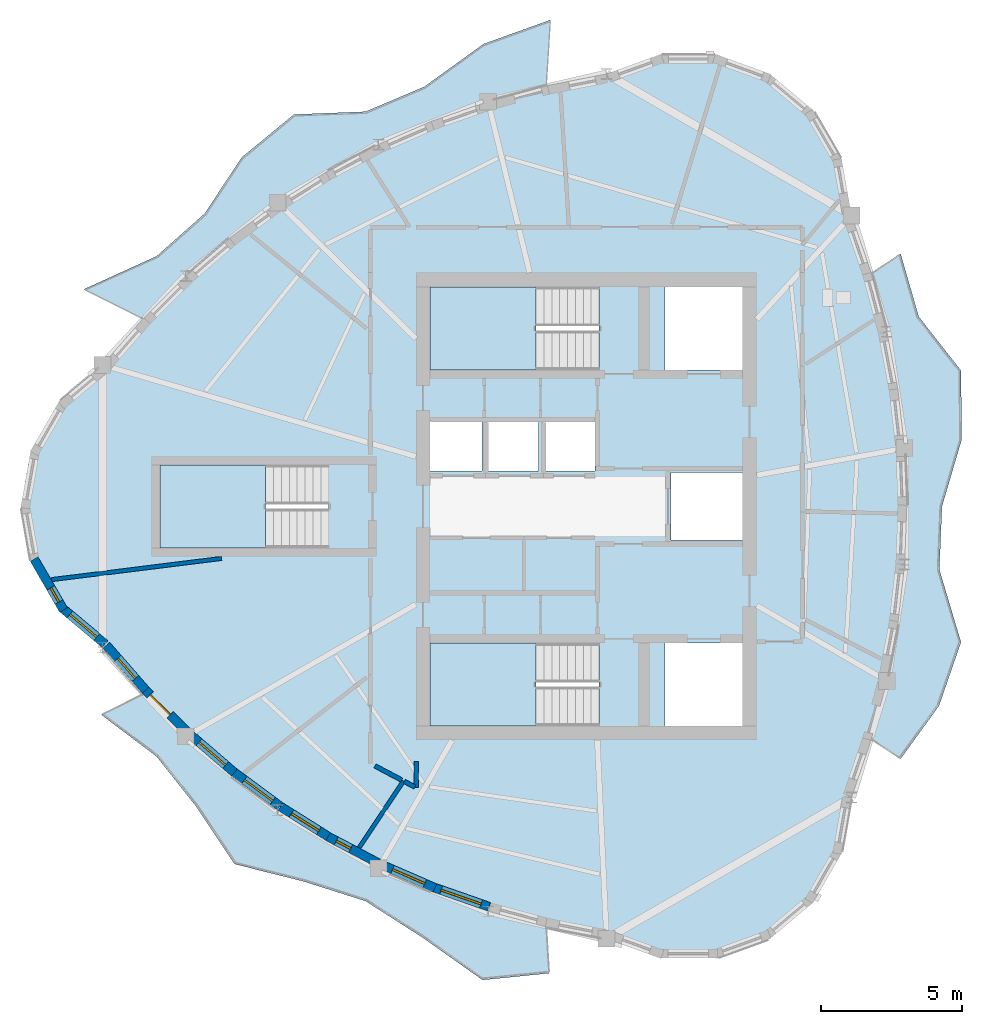
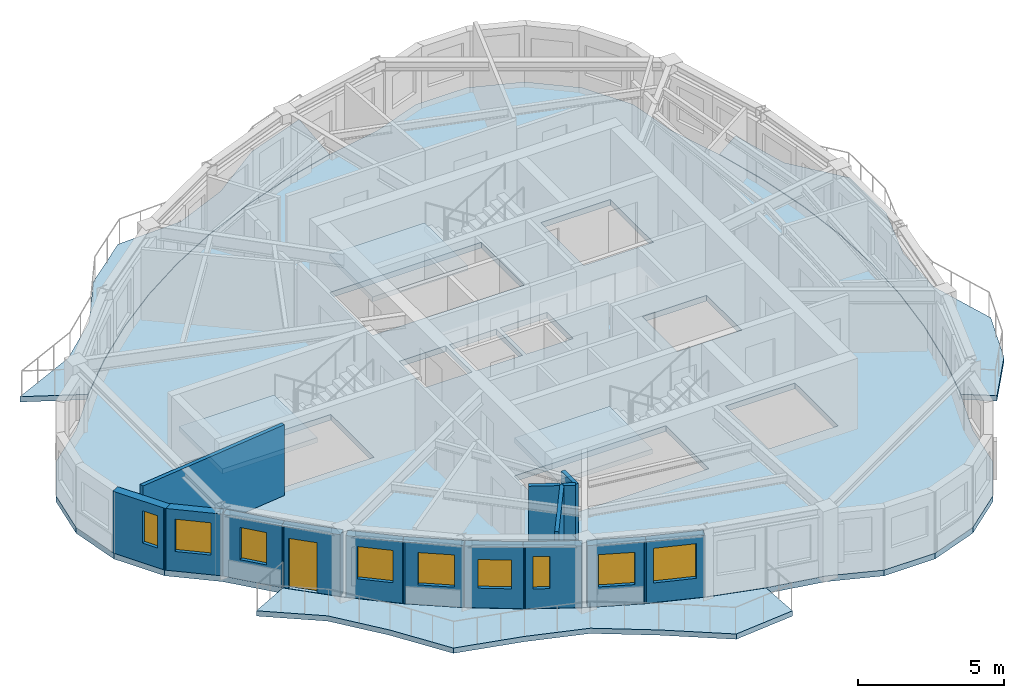
# One storey, part 2 of 11: 15 walls, 9 windows, 7 slabs, 1 door, 10 openings, 3 elements without a shape of their own.
"""IFC4 building model written with IfcOpenShell, lengths in metres."""

from ifc_helpers import new_model, si_unit, direction, frame, frame_2d, origin, place, context, subcontext, project, spatial, polyline, rectangle, outline, extrude, source, transform, mapped, material, layer, layer_set, type_object, element, fill, aggregate, save


model = new_model("IFC4")

# Units and contexts
model_context = context("Model", 3, precision=1e-05, world=origin(), true_north=direction((0.0, 1.0)))
body_context = subcontext(model_context, "Body", "Model", "MODEL_VIEW")
ifc_project = project(units=[si_unit("LENGTHUNIT", "METRE"), si_unit("AREAUNIT", "SQUARE_METRE"), si_unit("VOLUMEUNIT", "CUBIC_METRE"), si_unit("PLANEANGLEUNIT", "RADIAN"), si_unit("MASSUNIT", "GRAM", prefix="KILO")], contexts=[model_context])

# Site, building, storey
site_placement = place(None, origin())
site = spatial("IfcSite", under=ifc_project, at=site_placement, CompositionType="ELEMENT")
building_placement = place(site_placement, origin())
building = spatial("IfcBuilding", under=site, at=building_placement, Name="Qafzar Sky-Pleat Residences", CompositionType="ELEMENT")
storey_placement = place(building_placement, frame((0.0, 0.0, 246.800048828125)))
storey = spatial("IfcBuildingStorey", under=building, at=storey_placement, Name="L74", CompositionType="ELEMENT", Elevation=246.800048828125)

# Slabs
ifc_material_1 = material(Name="Concrete C40/50", Category="concrete")
ifc_layer_1 = layer(ifc_material_1, 0.219970703125)
ifc_layer_set_1 = layer_set([ifc_layer_1], Name="Concrete C40/50")
slab_type_1 = type_object("IfcSlabType", Name="SLAB-BAL-220", PredefinedType="USERDEFINED", material=ifc_layer_set_1)
slab_1_placement = place(storey_placement, frame((0.0, 0.0, -0.219970703125)))
element("IfcSlab", 1, at=slab_1_placement, inside=storey, type_object=slab_type_1, Name="L74 Pleated Stone Balcony 1", ObjectType="BALCONY", PredefinedType="USERDEFINED", context=body_context, shape_type="SweptSolid", body=[
    extrude(outline(polyline([(41.03515625, 19.793212890625), (41.4287109375, 21.862060546875), (41.664794921875, 23.930908203125), (41.743408203125, 26.0), (41.664794921875, 28.069091796875), (41.4287109375, 30.137939453125), (41.03515625, 32.206787109375), (40.484619140625, 34.275390625), (41.516357421875, 34.95947265625), (42.153076171875, 32.739013671875), (43.656005859375, 30.82421875), (43.6796875, 28.3740234375), (42.981201171875, 26.0), (42.888671875, 23.74560546875), (43.656005859375, 21.17578125), (42.875244140625, 18.9169921875), (41.516357421875, 17.04052734375), (40.484619140625, 17.724609375), (41.03515625, 19.793212890625)])), origin(), (0.0, 0.0, 1.0), 0.219970703125),
])
slab_2_placement = place(storey_placement, frame((0.0, 0.0, -0.219970703125)))
element("IfcSlab", 2, at=slab_2_placement, inside=storey, type_object=slab_type_1, Name="L74 Pleated Stone Balcony 2", ObjectType="BALCONY", PredefinedType="USERDEFINED", context=body_context, shape_type="SweptSolid", body=[
    extrude(outline(polyline([(26.857666015625, 40.39208984375), (24.869140625, 39.698486328125), (22.95947265625, 38.868408203125), (21.12841796875, 37.902099609375), (19.3759765625, 36.799560546875), (17.7021484375, 35.560546875), (16.107177734375, 34.185302734375), (14.591064453125, 32.674072265625), (12.50439453125, 33.712646484375), (15.08740234375, 34.88720703125), (16.794921875, 36.40283203125), (18.104248046875, 38.39208984375), (19.962890625, 39.920654296875), (22.508056640625, 40.021240234375), (24.593505859375, 40.905517578125), (26.6962890625, 42.423828125), (29.068359375, 43.27587890625), (28.924560546875, 40.94970703125), (26.857666015625, 40.39208984375)])), origin(), (0.0, 0.0, 1.0), 0.219970703125),
])
slab_3_placement = place(storey_placement, frame((0.0, 0.0, -0.219970703125)))
element("IfcSlab", 3, at=slab_3_placement, inside=storey, type_object=slab_type_1, Name="L74 Pleated Stone Balcony 3", ObjectType="BALCONY", PredefinedType="USERDEFINED", context=body_context, shape_type="SweptSolid", body=[
    extrude(outline(polyline([(16.107177734375, 17.814697265625), (17.7021484375, 16.439453125), (19.3759765625, 15.200439453125), (21.12841796875, 14.097900390625), (22.95947265625, 13.131591796875), (24.869140625, 12.301513671875), (26.857666015625, 11.60791015625), (28.924560546875, 11.05029296875), (29.025634765625, 9.41552734375), (26.664794921875, 9.177490234375), (24.50439453125, 10.70458984375), (22.508056640625, 11.978759765625), (20.309326171875, 12.679443359375), (17.8544921875, 13.29541015625), (16.501708984375, 15.324951171875), (15.08740234375, 17.11279296875), (13.124755859375, 18.595947265625), (14.591064453125, 19.325927734375), (16.107177734375, 17.814697265625)])), origin(), (0.0, 0.0, 1.0), 0.219970703125),
])
ifc_layer_2 = layer(ifc_material_1, 0.239990234375)
ifc_layer_set_2 = layer_set([ifc_layer_2], Name="Concrete C40/50")
slab_type_2 = type_object("IfcSlabType", Name="SLAB-FLR-240", PredefinedType="FLOOR", material=ifc_layer_set_2)
slab_4_placement = place(storey_placement, frame((0.0, 0.0, -0.239990234375)))
element("IfcSlab", 4, at=slab_4_placement, inside=storey, type_object=slab_type_2, Name="L74 Structural Floor Slab", PredefinedType="FLOOR", context=body_context, shape_type="SweptSolid", body=[
    extrude(outline(polyline([(13.1650390625, 31.02294921875), (11.621826171875, 29.728271484375), (10.61474609375, 27.983642578125), (10.264892578125, 26.0), (10.61474609375, 24.016357421875), (11.621826171875, 22.271728515625), (13.1650390625, 20.97705078125), (14.601806640625, 19.331298828125), (16.1171875, 17.8212890625), (17.7109375, 16.447509765625), (19.38330078125, 15.2099609375), (21.13427734375, 14.1083984375), (22.9638671875, 13.142578125), (24.871826171875, 12.313232421875), (26.858642578125, 11.619873046875), (28.923828125, 11.0625), (31.0673828125, 10.64111328125), (32.960205078125, 9.9521484375), (34.974609375, 9.9521484375), (36.867431640625, 10.64111328125), (38.41064453125, 11.935791015625), (39.417724609375, 13.680419921875), (39.767578125, 15.6640625), (40.474609375, 17.731201171875), (41.0244140625, 19.79833984375), (41.4169921875, 21.865478515625), (41.65283203125, 23.932861328125), (41.731201171875, 26.0), (41.65283203125, 28.067138671875), (41.4169921875, 30.134521484375), (41.0244140625, 32.20166015625), (40.474609375, 34.268798828125), (39.767578125, 36.3359375), (39.417724609375, 38.319580078125), (38.41064453125, 40.064208984375), (36.867431640625, 41.35888671875), (34.974609375, 42.0478515625), (32.960205078125, 42.0478515625), (31.0673828125, 41.35888671875), (28.923828125, 40.9375), (26.858642578125, 40.380126953125), (24.871826171875, 39.686767578125), (22.9638671875, 38.857421875), (21.13427734375, 37.8916015625), (19.38330078125, 36.7900390625), (17.7109375, 35.552490234375), (16.1171875, 34.1787109375), (14.601806640625, 32.668701171875), (13.1650390625, 31.02294921875)]), holes=[polyline([(30.797119140625, 21.14990234375), (24.800048828125, 21.14990234375), (24.800048828125, 18.199951171875), (30.797119140625, 18.199951171875), (30.797119140625, 21.14990234375)]), polyline([(30.797119140625, 33.800048828125), (24.800048828125, 33.800048828125), (24.800048828125, 30.85009765625), (30.797119140625, 30.85009765625), (30.797119140625, 33.800048828125)]), polyline([(21.197021484375, 27.47509765625), (15.199951171875, 27.47509765625), (15.199951171875, 24.52490234375), (21.197021484375, 24.52490234375), (21.197021484375, 27.47509765625)]), polyline([(24.800048828125, 27.25), (26.64990234375, 27.25), (26.64990234375, 29.050048828125), (24.800048828125, 29.050048828125), (24.800048828125, 27.25)]), polyline([(26.800048828125, 27.25), (28.64990234375, 27.25), (28.64990234375, 29.050048828125), (26.800048828125, 29.050048828125), (26.800048828125, 27.25)]), polyline([(28.800048828125, 27.25), (30.64990234375, 27.25), (30.64990234375, 29.050048828125), (28.800048828125, 29.050048828125), (28.800048828125, 27.25)]), polyline([(33.14990234375, 18.199951171875), (35.89990234375, 18.199951171875), (35.89990234375, 21.14990234375), (33.14990234375, 21.14990234375), (33.14990234375, 18.199951171875)]), polyline([(33.14990234375, 30.85009765625), (35.89990234375, 30.85009765625), (35.89990234375, 33.800048828125), (33.14990234375, 33.800048828125), (33.14990234375, 30.85009765625)]), polyline([(33.35009765625, 24.800048828125), (35.89990234375, 24.800048828125), (35.89990234375, 27.199951171875), (33.35009765625, 27.199951171875), (33.35009765625, 24.800048828125)])]), origin(), (0.0, 0.0, 1.0), 0.239990234375),
])

# Stair, slab
stair_type = type_object("IfcStairType", Name="STAIR-H320", PredefinedType="HALF_TURN_STAIR", material=ifc_material_1)
stair_1_placement = place(storey_placement, origin())
stair_1 = element("IfcStair", 5, at=stair_1_placement, inside=storey, type_object=stair_type, Name="L74 Protected Exit Stair ST1", PredefinedType="HALF_TURN_STAIR")
ifc_layer_3 = layer(ifc_material_1, 0.199951171875)
ifc_layer_set_3 = layer_set([ifc_layer_3], Name="Concrete C40/50")
slab_type_3 = type_object("IfcSlabType", Name="SLAB-LANDING-200", PredefinedType="LANDING", material=ifc_layer_set_3)
slab_5_placement = place(storey_placement, frame((0.0, 0.0, 1.39990234375)))
slab_5 = element("IfcSlab", 6, at=slab_5_placement, type_object=slab_type_3, Name="ST1 landing 1", PredefinedType="LANDING", context=body_context, shape_type="SweptSolid", body=[
    extrude(outline(polyline([(28.56005859375, 21.14990234375), (24.800048828125, 21.14990234375), (24.800048828125, 18.199951171875), (28.56005859375, 18.199951171875), (28.56005859375, 21.14990234375)])), origin(), (0.0, 0.0, 1.0), 0.199951171875),
])
aggregate(stair_1, [slab_5])

stair_2_placement = place(storey_placement, origin())
stair_2 = element("IfcStair", 7, at=stair_2_placement, inside=storey, type_object=stair_type, Name="L74 Protected Exit Stair ST2", PredefinedType="HALF_TURN_STAIR")
slab_6_placement = place(storey_placement, frame((0.0, 0.0, 1.39990234375)))
slab_6 = element("IfcSlab", 8, at=slab_6_placement, type_object=slab_type_3, Name="ST2 landing 1", PredefinedType="LANDING", context=body_context, shape_type="SweptSolid", body=[
    extrude(outline(polyline([(28.56005859375, 33.800048828125), (24.800048828125, 33.800048828125), (24.800048828125, 30.85009765625), (28.56005859375, 30.85009765625), (28.56005859375, 33.800048828125)])), origin(), (0.0, 0.0, 1.0), 0.199951171875),
])
aggregate(stair_2, [slab_6])

stair_3_placement = place(storey_placement, origin())
stair_3 = element("IfcStair", 9, at=stair_3_placement, inside=storey, type_object=stair_type, Name="L74 Protected Exit Stair ST3", PredefinedType="HALF_TURN_STAIR")
slab_7_placement = place(storey_placement, frame((0.0, 0.0, 1.39990234375)))
slab_7 = element("IfcSlab", 10, at=slab_7_placement, type_object=slab_type_3, Name="ST3 landing 1", PredefinedType="LANDING", context=body_context, shape_type="SweptSolid", body=[
    extrude(outline(polyline([(18.9599609375, 27.47509765625), (15.199951171875, 27.47509765625), (15.199951171875, 24.52490234375), (18.9599609375, 24.52490234375), (18.9599609375, 27.47509765625)])), origin(), (0.0, 0.0, 1.0), 0.199951171875),
])
aggregate(stair_3, [slab_7])

# Walls
ifc_material_2 = material(Name="Acoustic gypsum plasterboard partition", Category="gypsum")
ifc_layer_4 = layer(ifc_material_2, 0.159912109375)
ifc_layer_set_4 = layer_set([ifc_layer_4], Name="Acoustic gypsum plasterboard partition")
wall_type_1 = type_object("IfcWallType", Name="PART-COR-160", PredefinedType="PARTITIONING", material=ifc_layer_set_4)
wall_1_placement = place(storey_placement, frame((22.83935546875, 16.781494140625, 0.0), z_axis=(0.0, 0.0, 1.0), x_axis=(0.884533287542, -0.466477076853, 0.0)))
element("IfcWall", 11, at=wall_1_placement, inside=storey, type_object=wall_type_1, Name="L74 Partition Wall PART-L74-PW-025", PredefinedType="PARTITIONING", context=body_context, shape_type="SweptSolid", body=[
    extrude(rectangle(XDim=1.073974609375, YDim=0.159912109375, at=frame_2d((0.537109375, 0.0))), origin(), (0.0, 0.0, 1.0), 2.9599609375),
])
wall_2_placement = place(storey_placement, frame((24.300048828125, 16.010986328125, 0.0), z_axis=(0.0, 0.0, 1.0), x_axis=(0.0, 1.0, 0.0)))
element("IfcWall", 12, at=wall_2_placement, inside=storey, type_object=wall_type_1, Name="L74 Partition Wall PART-L74-PW-027", PredefinedType="PARTITIONING", context=body_context, shape_type="SweptSolid", body=[
    extrude(rectangle(XDim=0.929931640625, YDim=0.159912109375, at=frame_2d((0.46484375, 0.0))), origin(), (0.0, 0.0, 1.0), 2.9599609375),
])
wall_3_placement = place(storey_placement, frame((23.881103515625, 16.231689453125, 0.0), z_axis=(0.0, 0.0, 1.0), x_axis=(0.884769878191, -0.466028177953, 0.0)))
element("IfcWall", 13, at=wall_3_placement, inside=storey, type_object=wall_type_1, Name="L74 Partition Wall PART-L74-PW-032", PredefinedType="PARTITIONING", context=body_context, shape_type="SweptSolid", body=[
    extrude(rectangle(XDim=0.428466796875, YDim=0.159912109375, at=frame_2d((0.21435546875, 0.0))), origin(), (0.0, 0.0, 1.0), 2.9599609375),
])
ifc_layer_5 = layer(ifc_material_2, 0.14501953125)
ifc_layer_set_5 = layer_set([ifc_layer_5], Name="Acoustic gypsum plasterboard partition")
wall_type_2 = type_object("IfcWallType", Name="PART-UNIT-145", PredefinedType="PARTITIONING", material=ifc_layer_set_5)
wall_4_placement = place(storey_placement, frame((11.35400390625, 23.398193359375, 0.0), z_axis=(0.0, 0.0, 1.0), x_axis=(0.992337032495, 0.123560567901, 0.0)))
element("IfcWall", 14, at=wall_4_placement, inside=storey, type_object=wall_type_2, Name="L74 Partition Wall PART-L74-PW-012", PredefinedType="PARTITIONING", context=body_context, shape_type="SweptSolid", body=[
    extrude(rectangle(XDim=6.083740234375, YDim=0.14501953125, at=frame_2d((3.0419921875, 0.0))), origin(), (0.0, 0.0, 1.0), 2.9599609375),
])
wall_5_placement = place(storey_placement, frame((22.281005859375, 13.882080078125, 0.0), z_axis=(0.0, 0.0, 1.0), x_axis=(0.554204156683, 0.832380773874, 0.0)))
element("IfcWall", 15, at=wall_5_placement, inside=storey, type_object=wall_type_2, Name="L74 Partition Wall PART-L74-PW-020", PredefinedType="PARTITIONING", context=body_context, shape_type="SweptSolid", body=[
    extrude(rectangle(XDim=2.840087890625, YDim=0.14501953125, at=frame_2d((1.419921875, 0.0))), origin(), (0.0, 0.0, 1.0), 2.9599609375),
])

# Wall, opening, window
ifc_material_3 = material(Name="Precast concrete C40/50 with honed Riyadh limestone", Category="concrete")
ifc_layer_6 = layer(ifc_material_3, 0.320068359375)
ifc_layer_set_6 = layer_set([ifc_layer_6], Name="Precast concrete C40/50 with honed Riyadh limestone")
wall_type_3 = type_object("IfcWallType", Name="WALL-EXT-320", PredefinedType="SOLIDWALL", material=ifc_layer_set_6)
wall_6_placement = place(storey_placement, frame((10.734375, 24.129150390625, 0.0), z_axis=(0.0, 0.0, 1.0), x_axis=(0.499995423472, -0.866028046028, 0.0)))
wall_6 = element("IfcWall", 16, at=wall_6_placement, inside=storey, type_object=wall_type_3, Name="L74 Limestone Facade Wall 5", PredefinedType="SOLIDWALL", context=body_context, shape_type="SweptSolid", body=[
    extrude(rectangle(XDim=2.09033203125, YDim=0.320068359375, at=frame_2d((1.045166015625, 0.0))), origin(), (0.0, 0.0, 1.0), 2.579833984375),
])
opening_1_placement = place(wall_6_placement, frame((1.182373046875, 0.0, 0.820068359375)))
opening_1 = element("IfcOpeningElement", 17, at=opening_1_placement, cuts=wall_6, Name="Opening WN-17", PredefinedType="OPENING", context=body_context, shape_type="SweptSolid", body=[
    extrude(rectangle(XDim=0.580078125, YDim=1.35009765625, at=frame_2d((0.2900390625, 0.675048828125))), frame((0.0, 0.169921875, 0.0), z_axis=(0.0, -1.0, 0.0), x_axis=(1.0, 0.0, 0.0)), (0.0, 0.0, 1.0), 0.340087890625),
])
ifc_material_4 = material(Name="Solar-control low-E glass in bronze aluminium frame", Category="glass")
window_type_1 = type_object("IfcWindowType", Name="WIN-17", PartitioningType="SINGLE_PANEL", PredefinedType="WINDOW", material=ifc_material_4)
shared_shape_1 = source(origin(), body_context, "Body", "SweptSolid", [
    extrude(rectangle(XDim=0.580078125, YDim=1.35009765625, at=frame_2d((0.2900390625, 0.675048828125))), frame((0.0, 0.030029296875, 0.0), z_axis=(0.0, -1.0, 0.0), x_axis=(1.0, 0.0, 0.0)), (0.0, 0.0, 1.0), 0.06005859375),
])
window_1_placement = place(opening_1_placement, origin())
window_1 = element("IfcWindow", 18, at=window_1_placement, inside=storey, type_object=window_type_1, Name="L74 Punched Facade Window 05-2", OverallHeight=1.35009765625, OverallWidth=0.580078125, PartitioningType="SINGLE_PANEL", PredefinedType="WINDOW", context=body_context, shape_type="MappedRepresentation", body=[
    mapped(shared_shape_1, transform((0.0, 0.0, 0.0), x_axis=(1.0, 0.0, 0.0), y_axis=(0.0, 1.0, 0.0), z_axis=(0.0, 0.0, 1.0), scale=1.0)),
])
fill(opening_1, window_1)

wall_7_placement = place(storey_placement, frame((11.695556640625, 22.418701171875, 0.0), z_axis=(0.0, 0.0, 1.0), x_axis=(0.766099948115, -0.642721455608, 0.0)))
wall_7 = element("IfcWall", 19, at=wall_7_placement, inside=storey, type_object=wall_type_3, Name="L74 Limestone Facade Wall 6", PredefinedType="SOLIDWALL", context=body_context, shape_type="SweptSolid", body=[
    extrude(rectangle(XDim=2.0322265625, YDim=0.320068359375, at=frame_2d((1.01611328125, 0.0))), origin(), (0.0, 0.0, 1.0), 2.579833984375),
])
opening_2_placement = place(wall_7_placement, frame((0.401123046875, 0.0, 0.820068359375)))
opening_2 = element("IfcOpeningElement", 20, at=opening_2_placement, cuts=wall_7, Name="Opening WN-11", PredefinedType="OPENING", context=body_context, shape_type="SweptSolid", body=[
    extrude(rectangle(XDim=1.25, YDim=1.35009765625, at=frame_2d((0.625, 0.675048828125))), frame((0.0, 0.169921875, 0.0), z_axis=(0.0, -1.0, 0.0), x_axis=(1.0, 0.0, 0.0)), (0.0, 0.0, 1.0), 0.340087890625),
])
window_type_2 = type_object("IfcWindowType", Name="WIN-11", PartitioningType="SINGLE_PANEL", PredefinedType="WINDOW", material=ifc_material_4)
shared_shape_2 = source(origin(), body_context, "Body", "SweptSolid", [
    extrude(rectangle(XDim=1.25, YDim=1.35009765625, at=frame_2d((0.625, 0.675048828125))), frame((0.0, 0.030029296875, 0.0), z_axis=(0.0, -1.0, 0.0), x_axis=(1.0, 0.0, 0.0)), (0.0, 0.0, 1.0), 0.06005859375),
])
window_2_placement = place(opening_2_placement, origin())
window_2 = element("IfcWindow", 21, at=window_2_placement, inside=storey, type_object=window_type_2, Name="L74 Punched Facade Window 06", OverallHeight=1.35009765625, OverallWidth=1.25, PartitioningType="SINGLE_PANEL", PredefinedType="WINDOW", context=body_context, shape_type="MappedRepresentation", body=[
    mapped(shared_shape_2, transform((0.0, 0.0, 0.0), x_axis=(1.0, 0.0, 0.0), y_axis=(0.0, 1.0, 0.0), z_axis=(0.0, 0.0, 1.0), scale=1.0)),
])
fill(opening_2, window_2)

wall_8_placement = place(storey_placement, frame((13.298583984375, 21.0673828125, 0.0), z_axis=(0.0, 0.0, 1.0), x_axis=(0.657609731914, -0.753358772759, 0.0)))
wall_8 = element("IfcWall", 22, at=wall_8_placement, inside=storey, type_object=wall_type_3, Name="L74 Limestone Facade Wall 7", PredefinedType="SOLIDWALL", context=body_context, shape_type="SweptSolid", body=[
    extrude(rectangle(XDim=2.203125, YDim=0.320068359375, at=frame_2d((1.1015625, 0.0))), origin(), (0.0, 0.0, 1.0), 2.579833984375),
])
opening_3_placement = place(wall_8_placement, frame((0.616455078125, 0.0, 0.820068359375)))
opening_3 = element("IfcOpeningElement", 23, at=opening_3_placement, cuts=wall_8, Name="Opening WN-12", PredefinedType="OPENING", context=body_context, shape_type="SweptSolid", body=[
    extrude(rectangle(XDim=0.949951171875, YDim=1.35009765625, at=frame_2d((0.47509765625, 0.675048828125))), frame((0.0, 0.169921875, 0.0), z_axis=(0.0, -1.0, 0.0), x_axis=(1.0, 0.0, 0.0)), (0.0, 0.0, 1.0), 0.340087890625),
])
window_type_3 = type_object("IfcWindowType", Name="WIN-12", PartitioningType="SINGLE_PANEL", PredefinedType="WINDOW", material=ifc_material_4)
shared_shape_3 = source(origin(), body_context, "Body", "SweptSolid", [
    extrude(rectangle(XDim=0.949951171875, YDim=1.35009765625, at=frame_2d((0.47509765625, 0.675048828125))), frame((0.0, 0.030029296875, 0.0), z_axis=(0.0, -1.0, 0.0), x_axis=(1.0, 0.0, 0.0)), (0.0, 0.0, 1.0), 0.06005859375),
])
window_3_placement = place(opening_3_placement, origin())
window_3 = element("IfcWindow", 24, at=window_3_placement, inside=storey, type_object=window_type_3, Name="L74 Punched Facade Window 07", OverallHeight=1.35009765625, OverallWidth=0.949951171875, PartitioningType="SINGLE_PANEL", PredefinedType="WINDOW", context=body_context, shape_type="MappedRepresentation", body=[
    mapped(shared_shape_3, transform((0.0, 0.0, 0.0), x_axis=(1.0, 0.0, 0.0), y_axis=(0.0, 1.0, 0.0), z_axis=(0.0, 0.0, 1.0), scale=1.0)),
])
fill(opening_3, window_3)

# Wall, opening, door
wall_9_placement = place(storey_placement, frame((14.687744140625, 19.471435546875, 0.0), z_axis=(0.0, 0.0, 1.0), x_axis=(0.708392320445, -0.705818900522, 0.0)))
wall_9 = element("IfcWall", 25, at=wall_9_placement, inside=storey, type_object=wall_type_3, Name="L74 Limestone Facade Wall 8", PredefinedType="SOLIDWALL", context=body_context, shape_type="SweptSolid", body=[
    extrude(rectangle(XDim=2.087158203125, YDim=0.320068359375, at=frame_2d((1.04345703125, 0.0))), origin(), (0.0, 0.0, 1.0), 2.579833984375),
])
opening_4_placement = place(wall_9_placement, frame((0.239990234375, 0.0, 0.0)))
opening_4 = element("IfcOpeningElement", 26, at=opening_4_placement, cuts=wall_9, Name="Opening ED-05", PredefinedType="OPENING", context=body_context, shape_type="SweptSolid", body=[
    extrude(rectangle(XDim=1.0, YDim=2.10009765625, at=frame_2d((0.5, 1.050048828125))), frame((0.0, 0.169921875, 0.0), z_axis=(0.0, -1.0, 0.0), x_axis=(1.0, 0.0, 0.0)), (0.0, 0.0, 1.0), 0.340087890625),
])
ifc_material_5 = material(Name="Glazed bronze aluminium door", Category="aluminium")
door_type = type_object("IfcDoorType", Name="DR-BAL-1000", OperationType="NOTDEFINED", PredefinedType="DOOR", material=ifc_material_5)
shared_shape_4 = source(origin(), body_context, "Body", "SweptSolid", [
    extrude(rectangle(XDim=1.0, YDim=2.10009765625, at=frame_2d((0.5, 1.050048828125))), frame((0.0, 0.02490234375, 0.0), z_axis=(0.0, -1.0, 0.0), x_axis=(1.0, 0.0, 0.0)), (0.0, 0.0, 1.0), 0.050048828125),
])
door_placement = place(opening_4_placement, origin())
door = element("IfcDoor", 27, at=door_placement, inside=storey, type_object=door_type, Name="L74 Glazed Balcony Door 3", OperationType="SINGLE_SWING_LEFT", OverallHeight=2.10009765625, OverallWidth=1.0, PredefinedType="DOOR", context=body_context, shape_type="MappedRepresentation", body=[
    mapped(shared_shape_4, transform((0.0, 0.0, 0.0), x_axis=(1.0, 0.0, 0.0), y_axis=(0.0, 1.0, 0.0), z_axis=(0.0, 0.0, 1.0), scale=1.0)),
])
fill(opening_4, door)

# Wall, opening, window
wall_10_placement = place(storey_placement, frame((16.289794921875, 17.8837890625, 0.0), z_axis=(0.0, 0.0, 1.0), x_axis=(0.757405903716, -0.652944329186, 0.0)))
wall_10 = element("IfcWall", 28, at=wall_10_placement, inside=storey, type_object=wall_type_3, Name="L74 Limestone Facade Wall 9", PredefinedType="SOLIDWALL", context=body_context, shape_type="SweptSolid", body=[
    extrude(rectangle(XDim=2.052001953125, YDim=0.320068359375, at=frame_2d((1.02587890625, 0.0))), origin(), (0.0, 0.0, 1.0), 2.579833984375),
])
opening_5_placement = place(wall_10_placement, frame((0.39599609375, 0.0, 0.820068359375)))
opening_5 = element("IfcOpeningElement", 29, at=opening_5_placement, cuts=wall_10, Name="Opening WN-11", PredefinedType="OPENING", context=body_context, shape_type="SweptSolid", body=[
    extrude(rectangle(XDim=1.25, YDim=1.35009765625, at=frame_2d((0.625, 0.675048828125))), frame((0.0, 0.169921875, 0.0), z_axis=(0.0, -1.0, 0.0), x_axis=(1.0, 0.0, 0.0)), (0.0, 0.0, 1.0), 0.340087890625),
])
window_4_placement = place(opening_5_placement, origin())
window_4 = element("IfcWindow", 30, at=window_4_placement, inside=storey, type_object=window_type_2, Name="L74 Punched Facade Window 09", OverallHeight=1.35009765625, OverallWidth=1.25, PartitioningType="SINGLE_PANEL", PredefinedType="WINDOW", context=body_context, shape_type="MappedRepresentation", body=[
    mapped(shared_shape_2, transform((0.0, 0.0, 0.0), x_axis=(1.0, 0.0, 0.0), y_axis=(0.0, 1.0, 0.0), z_axis=(0.0, 0.0, 1.0), scale=1.0)),
])
fill(opening_5, window_4)

wall_11_placement = place(storey_placement, frame((17.775390625, 16.598876953125, 0.0), z_axis=(0.0, 0.0, 1.0), x_axis=(0.803808524664, -0.594888103493, 0.0)))
wall_11 = element("IfcWall", 31, at=wall_11_placement, inside=storey, type_object=wall_type_3, Name="L74 Limestone Facade Wall 10", PredefinedType="SOLIDWALL", context=body_context, shape_type="SweptSolid", body=[
    extrude(rectangle(XDim=2.098876953125, YDim=0.320068359375, at=frame_2d((1.04931640625, 0.0))), origin(), (0.0, 0.0, 1.0), 2.579833984375),
])
opening_6_placement = place(wall_11_placement, frame((0.532958984375, 0.0, 0.820068359375)))
opening_6 = element("IfcOpeningElement", 32, at=opening_6_placement, cuts=wall_11, Name="Opening WN-11", PredefinedType="OPENING", context=body_context, shape_type="SweptSolid", body=[
    extrude(rectangle(XDim=1.25, YDim=1.35009765625, at=frame_2d((0.625, 0.675048828125))), frame((0.0, 0.169921875, 0.0), z_axis=(0.0, -1.0, 0.0), x_axis=(1.0, 0.0, 0.0)), (0.0, 0.0, 1.0), 0.340087890625),
])
window_5_placement = place(opening_6_placement, origin())
window_5 = element("IfcWindow", 33, at=window_5_placement, inside=storey, type_object=window_type_2, Name="L74 Punched Facade Window 10", OverallHeight=1.35009765625, OverallWidth=1.25, PartitioningType="SINGLE_PANEL", PredefinedType="WINDOW", context=body_context, shape_type="MappedRepresentation", body=[
    mapped(shared_shape_2, transform((0.0, 0.0, 0.0), x_axis=(1.0, 0.0, 0.0), y_axis=(0.0, 1.0, 0.0), z_axis=(0.0, 0.0, 1.0), scale=1.0)),
])
fill(opening_6, window_5)

wall_12_placement = place(storey_placement, frame((19.485595703125, 15.334716796875, 0.0), z_axis=(0.0, 0.0, 1.0), x_axis=(0.846377392327, -0.532583617621, 0.0)))
wall_12 = element("IfcWall", 34, at=wall_12_placement, inside=storey, type_object=wall_type_3, Name="L74 Limestone Facade Wall 11", PredefinedType="SOLIDWALL", context=body_context, shape_type="SweptSolid", body=[
    extrude(rectangle(XDim=2.086669921875, YDim=0.320068359375, at=frame_2d((1.04345703125, 0.0))), origin(), (0.0, 0.0, 1.0), 2.579833984375),
])
opening_7_placement = place(wall_12_placement, frame((0.458251953125, 0.0, 0.820068359375)))
opening_7 = element("IfcOpeningElement", 35, at=opening_7_placement, cuts=wall_12, Name="Opening WN-16", PredefinedType="OPENING", context=body_context, shape_type="SweptSolid", body=[
    extrude(rectangle(XDim=1.14990234375, YDim=1.199951171875, at=frame_2d((0.574951171875, 0.60009765625))), frame((0.0, 0.169921875, 0.0), z_axis=(0.0, -1.0, 0.0), x_axis=(1.0, 0.0, 0.0)), (0.0, 0.0, 1.0), 0.340087890625),
])
window_type_4 = type_object("IfcWindowType", Name="WIN-16", PartitioningType="SINGLE_PANEL", PredefinedType="WINDOW", material=ifc_material_4)
shared_shape_5 = source(origin(), body_context, "Body", "SweptSolid", [
    extrude(rectangle(XDim=1.14990234375, YDim=1.199951171875, at=frame_2d((0.574951171875, 0.60009765625))), frame((0.0, 0.030029296875, 0.0), z_axis=(0.0, -1.0, 0.0), x_axis=(1.0, 0.0, 0.0)), (0.0, 0.0, 1.0), 0.06005859375),
])
window_6_placement = place(opening_7_placement, origin())
window_6 = element("IfcWindow", 36, at=window_6_placement, inside=storey, type_object=window_type_4, Name="L74 Punched Facade Window 11", OverallHeight=1.199951171875, OverallWidth=1.14990234375, PartitioningType="SINGLE_PANEL", PredefinedType="WINDOW", context=body_context, shape_type="MappedRepresentation", body=[
    mapped(shared_shape_5, transform((0.0, 0.0, 0.0), x_axis=(1.0, 0.0, 0.0), y_axis=(0.0, 1.0, 0.0), z_axis=(0.0, 0.0, 1.0), scale=1.0)),
])
fill(opening_7, window_6)

wall_13_placement = place(storey_placement, frame((21.17529296875, 14.267578125, 0.0), z_axis=(0.0, 0.0, 1.0), x_axis=(0.88438197682, -0.466763879362, 0.0)))
wall_13 = element("IfcWall", 37, at=wall_13_placement, inside=storey, type_object=wall_type_3, Name="L74 Limestone Facade Wall 12", PredefinedType="SOLIDWALL", context=body_context, shape_type="SweptSolid", body=[
    extrude(rectangle(XDim=2.016845703125, YDim=0.320068359375, at=frame_2d((1.00830078125, 0.0))), origin(), (0.0, 0.0, 1.0), 2.579833984375),
])
opening_8_placement = place(wall_13_placement, frame((0.327392578125, 0.0, 0.820068359375)))
opening_8 = element("IfcOpeningElement", 38, at=opening_8_placement, cuts=wall_13, Name="Opening WN-17", PredefinedType="OPENING", context=body_context, shape_type="SweptSolid", body=[
    extrude(rectangle(XDim=0.580078125, YDim=1.35009765625, at=frame_2d((0.2900390625, 0.675048828125))), frame((0.0, 0.169921875, 0.0), z_axis=(0.0, -1.0, 0.0), x_axis=(1.0, 0.0, 0.0)), (0.0, 0.0, 1.0), 0.340087890625),
])
window_7_placement = place(opening_8_placement, origin())
window_7 = element("IfcWindow", 39, at=window_7_placement, inside=storey, type_object=window_type_1, Name="L74 Punched Facade Window 12", OverallHeight=1.35009765625, OverallWidth=0.580078125, PartitioningType="SINGLE_PANEL", PredefinedType="WINDOW", context=body_context, shape_type="MappedRepresentation", body=[
    mapped(shared_shape_1, transform((0.0, 0.0, 0.0), x_axis=(1.0, 0.0, 0.0), y_axis=(0.0, 1.0, 0.0), z_axis=(0.0, 0.0, 1.0), scale=1.0)),
])
fill(opening_8, window_7)

wall_14_placement = place(storey_placement, frame((23.110107421875, 13.253662109375, 0.0), z_axis=(0.0, 0.0, 1.0), x_axis=(0.917071969608, -0.398721710671, 0.0)))
wall_14 = element("IfcWall", 40, at=wall_14_placement, inside=storey, type_object=wall_type_3, Name="L74 Limestone Facade Wall 13", PredefinedType="SOLIDWALL", context=body_context, shape_type="SweptSolid", body=[
    extrude(rectangle(XDim=2.028564453125, YDim=0.320068359375, at=frame_2d((1.01416015625, 0.0))), origin(), (0.0, 0.0, 1.0), 2.579833984375),
])
opening_9_placement = place(wall_14_placement, frame((0.38427734375, 0.0, 0.820068359375)))
opening_9 = element("IfcOpeningElement", 41, at=opening_9_placement, cuts=wall_14, Name="Opening WN-11", PredefinedType="OPENING", context=body_context, shape_type="SweptSolid", body=[
    extrude(rectangle(XDim=1.25, YDim=1.35009765625, at=frame_2d((0.625, 0.675048828125))), frame((0.0, 0.169921875, 0.0), z_axis=(0.0, -1.0, 0.0), x_axis=(1.0, 0.0, 0.0)), (0.0, 0.0, 1.0), 0.340087890625),
])
window_8_placement = place(opening_9_placement, origin())
window_8 = element("IfcWindow", 42, at=window_8_placement, inside=storey, type_object=window_type_2, Name="L74 Punched Facade Window 13", OverallHeight=1.35009765625, OverallWidth=1.25, PartitioningType="SINGLE_PANEL", PredefinedType="WINDOW", context=body_context, shape_type="MappedRepresentation", body=[
    mapped(shared_shape_2, transform((0.0, 0.0, 0.0), x_axis=(1.0, 0.0, 0.0), y_axis=(0.0, 1.0, 0.0), z_axis=(0.0, 0.0, 1.0), scale=1.0)),
])
fill(opening_9, window_8)

wall_15_placement = place(storey_placement, frame((24.888671875, 12.476806640625, 0.0), z_axis=(0.0, 0.0, 1.0), x_axis=(0.944161068915, -0.329484257508, 0.0)))
wall_15 = element("IfcWall", 43, at=wall_15_placement, inside=storey, type_object=wall_type_3, Name="L74 Limestone Facade Wall 14", PredefinedType="SOLIDWALL", context=body_context, shape_type="SweptSolid", body=[
    extrude(rectangle(XDim=2.1220703125, YDim=0.320068359375, at=frame_2d((1.06103515625, 0.0))), origin(), (0.0, 0.0, 1.0), 2.579833984375),
])
opening_10_placement = place(wall_15_placement, frame((0.321044921875, 0.0, 0.820068359375)))
opening_10 = element("IfcOpeningElement", 44, at=opening_10_placement, cuts=wall_15, Name="Opening WN-03", PredefinedType="OPENING", context=body_context, shape_type="SweptSolid", body=[
    extrude(rectangle(XDim=1.5, YDim=1.449951171875, at=frame_2d((0.75, 0.72509765625))), frame((0.0, 0.169921875, 0.0), z_axis=(0.0, -1.0, 0.0), x_axis=(1.0, 0.0, 0.0)), (0.0, 0.0, 1.0), 0.340087890625),
])
window_type_5 = type_object("IfcWindowType", Name="WIN-03", PartitioningType="DOUBLE_PANEL_VERTICAL", PredefinedType="WINDOW", material=ifc_material_4)
shared_shape_6 = source(origin(), body_context, "Body", "SweptSolid", [
    extrude(rectangle(XDim=1.5, YDim=1.449951171875, at=frame_2d((0.75, 0.72509765625))), frame((0.0, 0.030029296875, 0.0), z_axis=(0.0, -1.0, 0.0), x_axis=(1.0, 0.0, 0.0)), (0.0, 0.0, 1.0), 0.06005859375),
])
window_9_placement = place(opening_10_placement, origin())
window_9 = element("IfcWindow", 45, at=window_9_placement, inside=storey, type_object=window_type_5, Name="L74 Punched Facade Window 14", OverallHeight=1.449951171875, OverallWidth=1.5, PartitioningType="SINGLE_PANEL", PredefinedType="WINDOW", context=body_context, shape_type="MappedRepresentation", body=[
    mapped(shared_shape_6, transform((0.0, 0.0, 0.0), x_axis=(1.0, 0.0, 0.0), y_axis=(0.0, 1.0, 0.0), z_axis=(0.0, 0.0, 1.0), scale=1.0)),
])
fill(opening_10, window_9)

save(model, "model.ifc")
